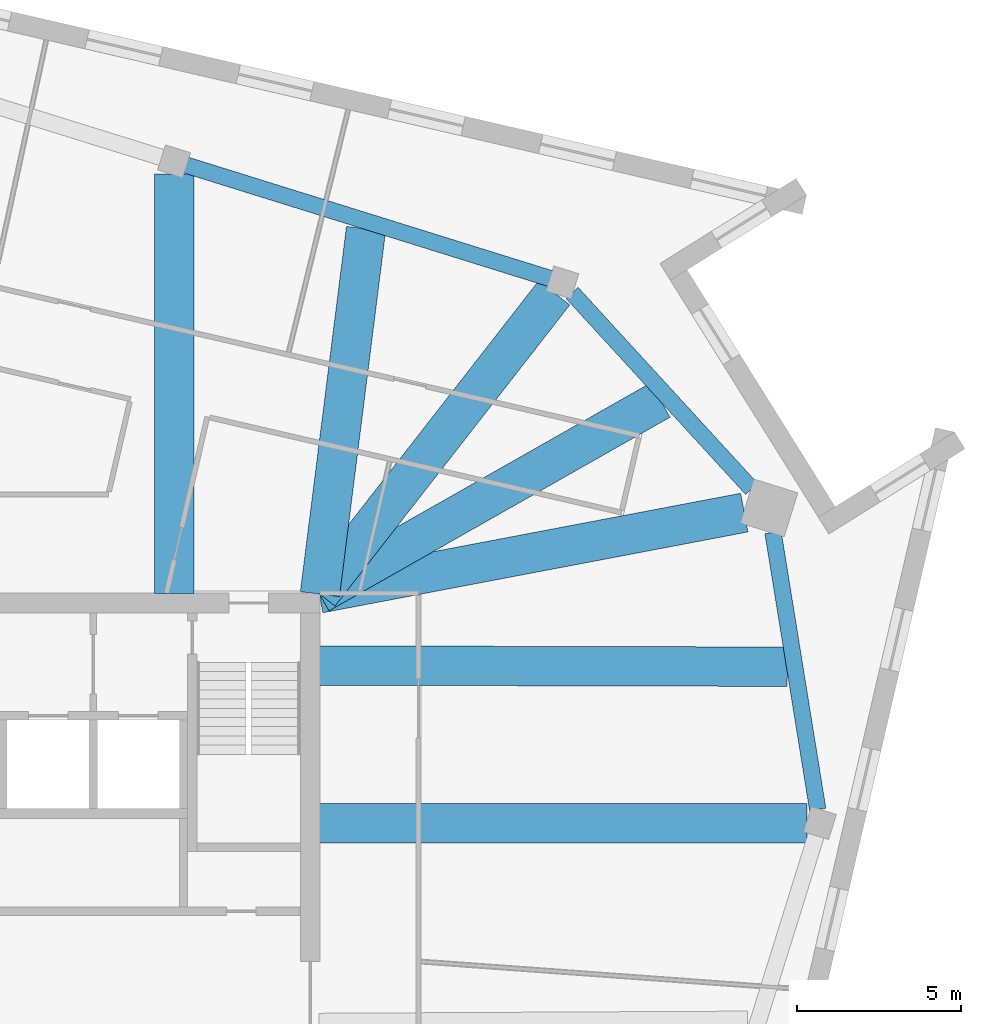
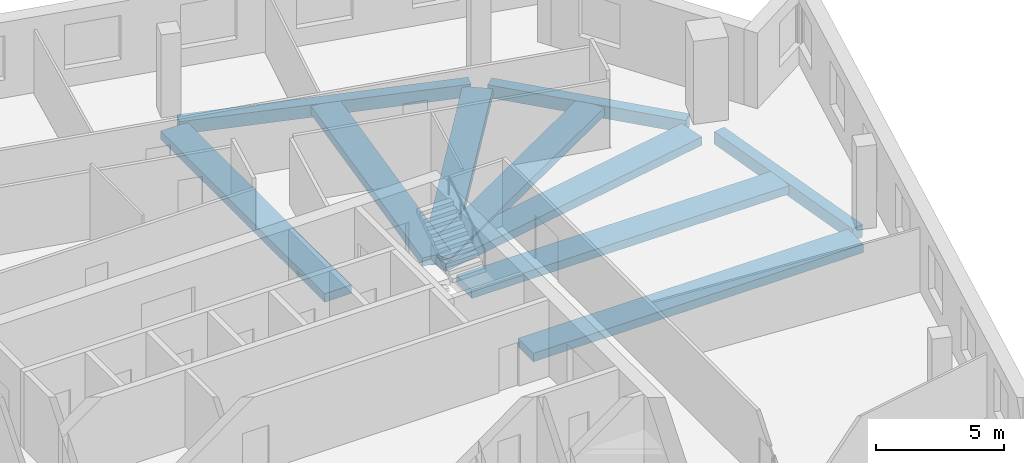
# One storey, part 3 of 14: 10 beams.
"""IFC4 building model written with IfcOpenShell, lengths in metres."""

from ifc_helpers import new_model, si_unit, direction, frame, origin, origin_2d, place, context, subcontext, project, spatial, rectangle, extrude, material, material_profile, profile_set, type_object, element, save


model = new_model("IFC4")

# Units and contexts
model_context = context("Model", 3, precision=1e-05, world=origin(), true_north=direction((0.0, 1.0)))
body_context = subcontext(model_context, "Body", "Model", "MODEL_VIEW")
ifc_project = project(units=[si_unit("LENGTHUNIT", "METRE"), si_unit("AREAUNIT", "SQUARE_METRE"), si_unit("VOLUMEUNIT", "CUBIC_METRE"), si_unit("PLANEANGLEUNIT", "RADIAN"), si_unit("MASSUNIT", "GRAM", prefix="KILO")], contexts=[model_context])

# Site, building, storey
site_placement = place(None, origin())
site = spatial("IfcSite", under=ifc_project, at=site_placement, CompositionType="ELEMENT")
building_placement = place(site_placement, origin())
building = spatial("IfcBuilding", under=site, at=building_placement, Name="Dilmun Exchange Tower", CompositionType="ELEMENT")
storey_placement = place(building_placement, frame((0.0, 0.0, 340.5)))
storey = spatial("IfcBuildingStorey", under=building, at=storey_placement, Name="L81", CompositionType="ELEMENT", Elevation=340.5)

# Beams
ifc_material = material(Name="Concrete C40/50", Category="concrete")
ifc_material_profile_1 = material_profile(ifc_material, rectangle(XDim=1.199951171875, YDim=0.39990234375, at=origin_2d()), Name="1200 x 400")
ifc_profile_set_1 = profile_set([ifc_material_profile_1], Name="Concrete C40/50")
beam_type_1 = type_object("IfcBeamType", Name="RC band beam 1200 x 400 C40/50", PredefinedType="BEAM", material=ifc_profile_set_1)
beam_1_placement = place(storey_placement, frame((27.216064453125, 5.406005859375, -0.64990234375), z_axis=(-1.0, 0.0, 0.0), x_axis=(0.0, -1.0, 0.0)))
element("IfcBeam", 1, at=beam_1_placement, inside=storey, type_object=beam_type_1, Name="Band beam 12", PredefinedType="BEAM", context=body_context, shape_type="SweptSolid", body=[
    extrude(rectangle(XDim=1.199951171875, YDim=0.39990234375, at=origin_2d()), origin(), (0.0, 0.0, 1.0), 14.843017578125),
])
beam_2_placement = place(storey_placement, frame((25.30712890625, 14.85205078125, -0.64990234375), z_axis=(-0.982429348436, -0.18663487169, 0.0), x_axis=(0.18663487169, -0.982429348436, 0.0)))
element("IfcBeam", 2, at=beam_2_placement, inside=storey, type_object=beam_type_1, Name="Band beam 13", PredefinedType="BEAM", context=body_context, shape_type="SweptSolid", body=[
    extrude(rectangle(XDim=1.199951171875, YDim=0.39990234375, at=origin_2d()), origin(), (0.0, 0.0, 1.0), 13.164794921875),
])
beam_3_placement = place(storey_placement, frame((19.52685546875, 21.541259765625, -0.64990234375), z_axis=(-0.614856714099, -0.788638840743, 0.0), x_axis=(0.788638840743, -0.614856714099, 0.0)))
element("IfcBeam", 3, at=beam_3_placement, inside=storey, type_object=beam_type_1, Name="Band beam 14", PredefinedType="BEAM", context=body_context, shape_type="SweptSolid", body=[
    extrude(rectangle(XDim=1.199951171875, YDim=0.39990234375, at=origin_2d()), origin(), (0.0, 0.0, 1.0), 11.6181640625),
])
beam_4_placement = place(storey_placement, frame((7.9580078125, 25.14697265625, -0.64990234375), z_axis=(0.0, -1.0, 0.0), x_axis=(1.0, 0.0, 0.0)))
element("IfcBeam", 4, at=beam_4_placement, inside=storey, type_object=beam_type_1, Name="Band beam 15", PredefinedType="BEAM", context=body_context, shape_type="SweptSolid", body=[
    extrude(rectangle(XDim=1.199951171875, YDim=0.39990234375, at=origin_2d()), origin(), (0.0, 0.0, 1.0), 12.77392578125),
])
beam_5_placement = place(storey_placement, frame((26.614013671875, 10.1650390625, -0.550048828125), z_axis=(-0.999996910379, 0.002485806038, 0.0), x_axis=(-0.002485806038, -0.999996910379, 0.0)))
element("IfcBeam", 5, at=beam_5_placement, inside=storey, type_object=beam_type_1, Name="Band beam 28", PredefinedType="BEAM", context=body_context, shape_type="SweptSolid", body=[
    extrude(rectangle(XDim=1.199951171875, YDim=0.39990234375, at=origin_2d()), origin(), (0.0, 0.0, 1.0), 14.240966796875),
])
beam_6_placement = place(storey_placement, frame((22.752197265625, 18.275390625, -0.550048828125), z_axis=(-0.869690188955, -0.493597989496, 0.0), x_axis=(0.493597989496, -0.869690188955, 0.0)))
element("IfcBeam", 6, at=beam_6_placement, inside=storey, type_object=beam_type_1, Name="Band beam 29", PredefinedType="BEAM", context=body_context, shape_type="SweptSolid", body=[
    extrude(rectangle(XDim=1.199951171875, YDim=0.39990234375, at=origin_2d()), origin(), (0.0, 0.0, 1.0), 11.93017578125),
])
beam_7_placement = place(storey_placement, frame((13.79931640625, 23.485107421875, -0.550048828125), z_axis=(-0.125252659456, -0.992124876867, 0.0), x_axis=(0.992124876867, -0.125252659456, 0.0)))
element("IfcBeam", 7, at=beam_7_placement, inside=storey, type_object=beam_type_1, Name="Band beam 30", PredefinedType="BEAM", context=body_context, shape_type="SweptSolid", body=[
    extrude(rectangle(XDim=1.199951171875, YDim=0.39990234375, at=origin_2d()), origin(), (0.0, 0.0, 1.0), 11.199951171875),
])
ifc_material_profile_2 = material_profile(ifc_material, rectangle(XDim=0.5, YDim=0.60009765625, at=origin_2d()), Name="500 x 600")
ifc_profile_set_2 = profile_set([ifc_material_profile_2], Name="Concrete C40/50")
beam_type_2 = type_object("IfcBeamType", Name="RC ring beam 500 x 600 C40/50", PredefinedType="SPANDREL", material=ifc_profile_set_2)
beam_8_placement = place(storey_placement, frame((27.541015625, 5.820556640625, -0.64990234375), z_axis=(-0.159356501233, 0.987221102649, 0.0), x_axis=(-0.987221102649, -0.159356501233, 0.0)))
element("IfcBeam", 8, at=beam_8_placement, inside=storey, type_object=beam_type_2, Name="Ring beam 12", PredefinedType="SPANDREL", context=body_context, shape_type="SweptSolid", body=[
    extrude(rectangle(XDim=0.5, YDim=0.60009765625, at=origin_2d()), origin(), (0.0, 0.0, 1.0), 8.5380859375),
])
beam_9_placement = place(storey_placement, frame((25.531005859375, 15.572265625, -0.64990234375), z_axis=(-0.675535971399, 0.737327031476, 0.0), x_axis=(-0.737327031476, -0.675535971399, 0.0)))
element("IfcBeam", 9, at=beam_9_placement, inside=storey, type_object=beam_type_2, Name="Ring beam 13", PredefinedType="SPANDREL", context=body_context, shape_type="SweptSolid", body=[
    extrude(rectangle(XDim=0.5, YDim=0.60009765625, at=origin_2d()), origin(), (0.0, 0.0, 1.0), 8.087890625),
])
beam_10_placement = place(storey_placement, frame((19.4169921875, 21.968017578125, -0.64990234375), z_axis=(-0.95471613385, 0.297518241065, 0.0), x_axis=(-0.297518241065, -0.95471613385, 0.0)))
element("IfcBeam", 10, at=beam_10_placement, inside=storey, type_object=beam_type_2, Name="Ring beam 14", PredefinedType="SPANDREL", context=body_context, shape_type="SweptSolid", body=[
    extrude(rectangle(XDim=0.5, YDim=0.60009765625, at=origin_2d()), origin(), (0.0, 0.0, 1.0), 11.62939453125),
])

save(model, "model.ifc")
